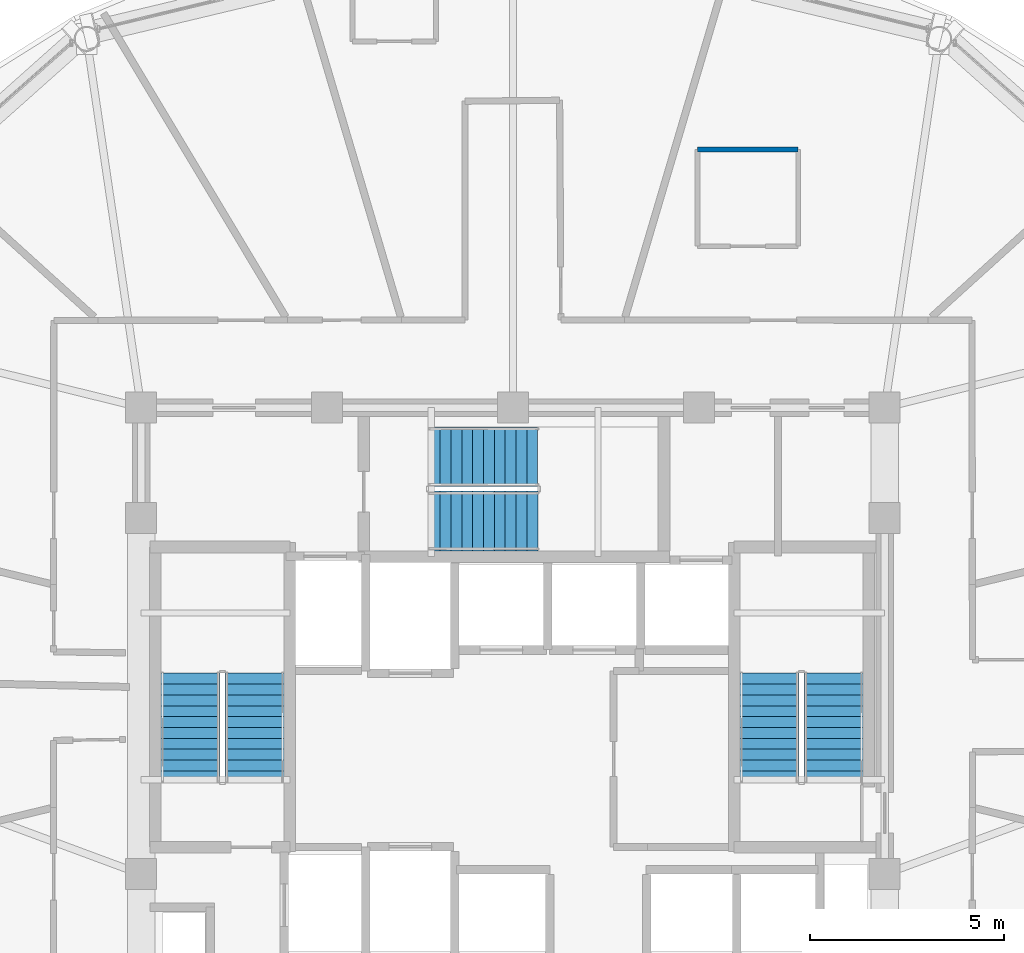
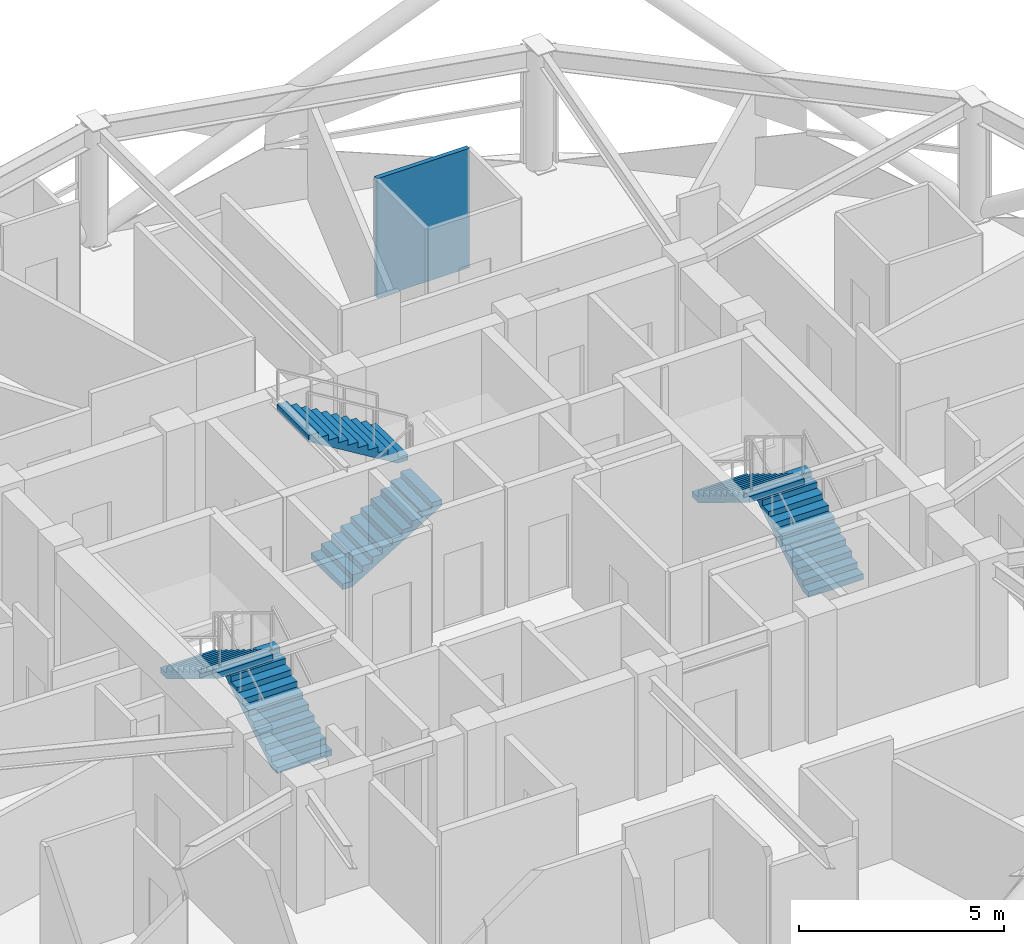
# One storey, part 25 of 29: 6 stair flights, 1 wall, 3 elements without a shape of their own.
"""IFC4 building model written with IfcOpenShell, lengths in metres."""

from ifc_helpers import new_model, si_unit, direction, frame, frame_2d, origin, place, context, subcontext, project, spatial, polyline, rectangle, outline, extrude, material, layer, layer_set, type_object, element, aggregate, save


model = new_model("IFC4")

# Units and contexts
model_context = context("Model", 3, precision=1e-05, world=origin(), true_north=direction((0.0, 1.0)))
body_context = subcontext(model_context, "Body", "Model", "MODEL_VIEW")
ifc_project = project(units=[si_unit("LENGTHUNIT", "METRE"), si_unit("AREAUNIT", "SQUARE_METRE"), si_unit("VOLUMEUNIT", "CUBIC_METRE"), si_unit("PLANEANGLEUNIT", "RADIAN"), si_unit("MASSUNIT", "GRAM", prefix="KILO")], contexts=[model_context])

# Site, building, storey
site_placement = place(None, origin())
site = spatial("IfcSite", under=ifc_project, at=site_placement, CompositionType="ELEMENT")
building_placement = place(site_placement, origin())
building = spatial("IfcBuilding", under=site, at=building_placement, Name="Vantalir Tower", CompositionType="ELEMENT")
storey_placement = place(building_placement, frame((0.0, 0.0, 219.89990234375)))
storey = spatial("IfcBuildingStorey", under=building, at=storey_placement, Name="L55", CompositionType="ELEMENT", Elevation=219.89990234375)

# Wall
ifc_material_1 = material(Name="Moisture-resistant en-suite partition", Category="gypsum")
ifc_layer = layer(ifc_material_1, 0.125)
ifc_layer_set = layer_set([ifc_layer], Name="Moisture-resistant en-suite partition")
wall_type = type_object("IfcWallType", Name="WL-BATH-125", PredefinedType="PARTITIONING", material=ifc_layer_set)
wall_placement = place(storey_placement, frame((36.26708984375, 39.117919921875, 0.0), z_axis=(0.0, 0.0, 1.0), x_axis=(1.0, 0.0, 0.0)))
element("IfcWall", 1, at=wall_placement, inside=storey, type_object=wall_type, Name="L55 En-suite 02 North Wall", PredefinedType="PARTITIONING", context=body_context, shape_type="SweptSolid", body=[
    extrude(rectangle(XDim=2.599853515625, YDim=0.125, at=frame_2d((1.2998046875, 0.0))), origin(), (0.0, 0.0, 1.0), 3.550048828125),
])

# Stair, stair flights
ifc_material_2 = material(Name="Concrete C40/50", Category="concrete")
stair_type = type_object("IfcStairType", Name="STR-CORE-1450", PredefinedType="HALF_TURN_STAIR", material=ifc_material_2)
stair_1_placement = place(storey_placement, origin())
stair_1 = element("IfcStair", 2, at=stair_1_placement, inside=storey, type_object=stair_type, Name="L55 Core Exit Stair 1", PredefinedType="HALF_TURN_STAIR")
stair_flight_type = type_object("IfcStairFlightType", Name="FLT-CORE-1450", PredefinedType="STRAIGHT", material=ifc_material_2)
stair_flight_1_placement = place(storey_placement, frame((24.830078125, 22.7900390625, 0.0), z_axis=(0.0, 0.0, 1.0), x_axis=(0.0, 1.0, 0.0)))
stair_flight_1 = element("IfcStairFlight", 3, at=stair_flight_1_placement, type_object=stair_flight_type, Name="ST1 flight 1", NumberOfRisers=11, NumberOfTreads=10, PredefinedType="STRAIGHT", RiserHeight=0.170454545, TreadLength=0.28, context=body_context, shape_type="SweptSolid", body=[
    extrude(outline(polyline([(0.0, 0.0), (0.0, 0.17041015625), (0.280029296875, 0.17041015625), (0.280029296875, 0.3408203125), (0.56005859375, 0.3408203125), (0.56005859375, 0.511474609375), (0.840087890625, 0.511474609375), (0.840087890625, 0.681884765625), (1.1201171875, 0.681884765625), (1.1201171875, 0.852294921875), (1.39990234375, 0.852294921875), (1.39990234375, 1.022705078125), (1.679931640625, 1.022705078125), (1.679931640625, 1.193115234375), (1.9599609375, 1.193115234375), (1.9599609375, 1.363525390625), (2.239990234375, 1.363525390625), (2.239990234375, 1.5341796875), (2.52001953125, 1.5341796875), (2.52001953125, 1.70458984375), (2.800048828125, 1.70458984375), (2.800048828125, 1.875), (2.800048828125, 1.529052734375), (0.288330078125, 0.0), (0.0, 0.0)])), frame((0.0, 0.77001953125, 0.0), z_axis=(0.0, -1.0, 0.0), x_axis=(1.0, 0.0, 0.0)), (0.0, 0.0, 1.0), 1.5400390625),
])
stair_flight_2_placement = place(storey_placement, frame((23.169921875, 25.590087890625, 1.875), z_axis=(0.0, 0.0, 1.0), x_axis=(0.0, -1.0, 0.0)))
stair_flight_2 = element("IfcStairFlight", 4, at=stair_flight_2_placement, type_object=stair_flight_type, Name="ST1 flight 2", NumberOfRisers=11, NumberOfTreads=10, PredefinedType="STRAIGHT", RiserHeight=0.170454545, TreadLength=0.28, context=body_context, shape_type="SweptSolid", body=[
    extrude(outline(polyline([(0.0, 0.0), (0.0, 0.17041015625), (0.280029296875, 0.17041015625), (0.280029296875, 0.3408203125), (0.56005859375, 0.3408203125), (0.56005859375, 0.511474609375), (0.840087890625, 0.511474609375), (0.840087890625, 0.681884765625), (1.1201171875, 0.681884765625), (1.1201171875, 0.852294921875), (1.39990234375, 0.852294921875), (1.39990234375, 1.022705078125), (1.679931640625, 1.022705078125), (1.679931640625, 1.193115234375), (1.9599609375, 1.193115234375), (1.9599609375, 1.363525390625), (2.239990234375, 1.363525390625), (2.239990234375, 1.5341796875), (2.52001953125, 1.5341796875), (2.52001953125, 1.70458984375), (2.800048828125, 1.70458984375), (2.800048828125, 1.875), (2.800048828125, 1.529052734375), (0.288330078125, 0.0), (0.0, 0.0)])), frame((0.0, 0.77001953125, 0.0), z_axis=(0.0, -1.0, 0.0), x_axis=(1.0, 0.0, 0.0)), (0.0, 0.0, 1.0), 1.5400390625),
])
aggregate(stair_1, [stair_flight_1, stair_flight_2])

stair_2_placement = place(storey_placement, origin())
stair_2 = element("IfcStair", 5, at=stair_2_placement, inside=storey, type_object=stair_type, Name="L55 Core Exit Stair 2", PredefinedType="HALF_TURN_STAIR")
stair_flight_3_placement = place(storey_placement, frame((39.780029296875, 22.7900390625, 0.0), z_axis=(0.0, 0.0, 1.0), x_axis=(0.0, 1.0, 0.0)))
stair_flight_3 = element("IfcStairFlight", 6, at=stair_flight_3_placement, type_object=stair_flight_type, Name="ST2 flight 1", NumberOfRisers=11, NumberOfTreads=10, PredefinedType="STRAIGHT", RiserHeight=0.170454545, TreadLength=0.28, context=body_context, shape_type="SweptSolid", body=[
    extrude(outline(polyline([(0.0, 0.0), (0.0, 0.17041015625), (0.280029296875, 0.17041015625), (0.280029296875, 0.3408203125), (0.56005859375, 0.3408203125), (0.56005859375, 0.511474609375), (0.840087890625, 0.511474609375), (0.840087890625, 0.681884765625), (1.1201171875, 0.681884765625), (1.1201171875, 0.852294921875), (1.39990234375, 0.852294921875), (1.39990234375, 1.022705078125), (1.679931640625, 1.022705078125), (1.679931640625, 1.193115234375), (1.9599609375, 1.193115234375), (1.9599609375, 1.363525390625), (2.239990234375, 1.363525390625), (2.239990234375, 1.5341796875), (2.52001953125, 1.5341796875), (2.52001953125, 1.70458984375), (2.800048828125, 1.70458984375), (2.800048828125, 1.875), (2.800048828125, 1.529052734375), (0.288330078125, 0.0), (0.0, 0.0)])), frame((0.0, 0.77001953125, 0.0), z_axis=(0.0, -1.0, 0.0), x_axis=(1.0, 0.0, 0.0)), (0.0, 0.0, 1.0), 1.5400390625),
])
stair_flight_4_placement = place(storey_placement, frame((38.1201171875, 25.590087890625, 1.875), z_axis=(0.0, 0.0, 1.0), x_axis=(0.0, -1.0, 0.0)))
stair_flight_4 = element("IfcStairFlight", 7, at=stair_flight_4_placement, type_object=stair_flight_type, Name="ST2 flight 2", NumberOfRisers=11, NumberOfTreads=10, PredefinedType="STRAIGHT", RiserHeight=0.170454545, TreadLength=0.28, context=body_context, shape_type="SweptSolid", body=[
    extrude(outline(polyline([(0.0, 0.0), (0.0, 0.17041015625), (0.280029296875, 0.17041015625), (0.280029296875, 0.3408203125), (0.56005859375, 0.3408203125), (0.56005859375, 0.511474609375), (0.840087890625, 0.511474609375), (0.840087890625, 0.681884765625), (1.1201171875, 0.681884765625), (1.1201171875, 0.852294921875), (1.39990234375, 0.852294921875), (1.39990234375, 1.022705078125), (1.679931640625, 1.022705078125), (1.679931640625, 1.193115234375), (1.9599609375, 1.193115234375), (1.9599609375, 1.363525390625), (2.239990234375, 1.363525390625), (2.239990234375, 1.5341796875), (2.52001953125, 1.5341796875), (2.52001953125, 1.70458984375), (2.800048828125, 1.70458984375), (2.800048828125, 1.875), (2.800048828125, 1.529052734375), (0.288330078125, 0.0), (0.0, 0.0)])), frame((0.0, 0.77001953125, 0.0), z_axis=(0.0, -1.0, 0.0), x_axis=(1.0, 0.0, 0.0)), (0.0, 0.0, 1.0), 1.5400390625),
])
aggregate(stair_2, [stair_flight_3, stair_flight_4])

stair_3_placement = place(storey_placement, origin())
stair_3 = element("IfcStair", 8, at=stair_3_placement, inside=storey, type_object=stair_type, Name="L55 Core Exit Stair 3", PredefinedType="HALF_TURN_STAIR")
stair_flight_5_placement = place(storey_placement, frame((29.340087890625, 29.52001953125, 0.0), z_axis=(0.0, 0.0, 1.0), x_axis=(1.0, 0.0, 0.0)))
stair_flight_5 = element("IfcStairFlight", 9, at=stair_flight_5_placement, type_object=stair_flight_type, Name="ST3 flight 1", NumberOfRisers=11, NumberOfTreads=10, PredefinedType="STRAIGHT", RiserHeight=0.170454545, TreadLength=0.28, context=body_context, shape_type="SweptSolid", body=[
    extrude(outline(polyline([(0.0, 0.0), (0.0, 0.17041015625), (0.280029296875, 0.17041015625), (0.280029296875, 0.3408203125), (0.56005859375, 0.3408203125), (0.56005859375, 0.511474609375), (0.840087890625, 0.511474609375), (0.840087890625, 0.681884765625), (1.1201171875, 0.681884765625), (1.1201171875, 0.852294921875), (1.39990234375, 0.852294921875), (1.39990234375, 1.022705078125), (1.679931640625, 1.022705078125), (1.679931640625, 1.193115234375), (1.9599609375, 1.193115234375), (1.9599609375, 1.363525390625), (2.239990234375, 1.363525390625), (2.239990234375, 1.5341796875), (2.52001953125, 1.5341796875), (2.52001953125, 1.70458984375), (2.800048828125, 1.70458984375), (2.800048828125, 1.875), (2.800048828125, 1.529052734375), (0.288330078125, 0.0), (0.0, 0.0)])), frame((0.0, 0.77001953125, 0.0), z_axis=(0.0, -1.0, 0.0), x_axis=(1.0, 0.0, 0.0)), (0.0, 0.0, 1.0), 1.5400390625),
])
stair_flight_6_placement = place(storey_placement, frame((32.139892578125, 31.179931640625, 1.875), z_axis=(0.0, 0.0, 1.0), x_axis=(-1.0, 0.0, 0.0)))
stair_flight_6 = element("IfcStairFlight", 10, at=stair_flight_6_placement, type_object=stair_flight_type, Name="ST3 flight 2", NumberOfRisers=11, NumberOfTreads=10, PredefinedType="STRAIGHT", RiserHeight=0.170454545, TreadLength=0.28, context=body_context, shape_type="SweptSolid", body=[
    extrude(outline(polyline([(0.0, 0.0), (0.0, 0.17041015625), (0.280029296875, 0.17041015625), (0.280029296875, 0.3408203125), (0.56005859375, 0.3408203125), (0.56005859375, 0.511474609375), (0.840087890625, 0.511474609375), (0.840087890625, 0.681884765625), (1.1201171875, 0.681884765625), (1.1201171875, 0.852294921875), (1.39990234375, 0.852294921875), (1.39990234375, 1.022705078125), (1.679931640625, 1.022705078125), (1.679931640625, 1.193115234375), (1.9599609375, 1.193115234375), (1.9599609375, 1.363525390625), (2.239990234375, 1.363525390625), (2.239990234375, 1.5341796875), (2.52001953125, 1.5341796875), (2.52001953125, 1.70458984375), (2.800048828125, 1.70458984375), (2.800048828125, 1.875), (2.800048828125, 1.529052734375), (0.288330078125, 0.0), (0.0, 0.0)])), frame((0.0, 0.77001953125, 0.0), z_axis=(0.0, -1.0, 0.0), x_axis=(1.0, 0.0, 0.0)), (0.0, 0.0, 1.0), 1.5400390625),
])
aggregate(stair_3, [stair_flight_5, stair_flight_6])

save(model, "model.ifc")
